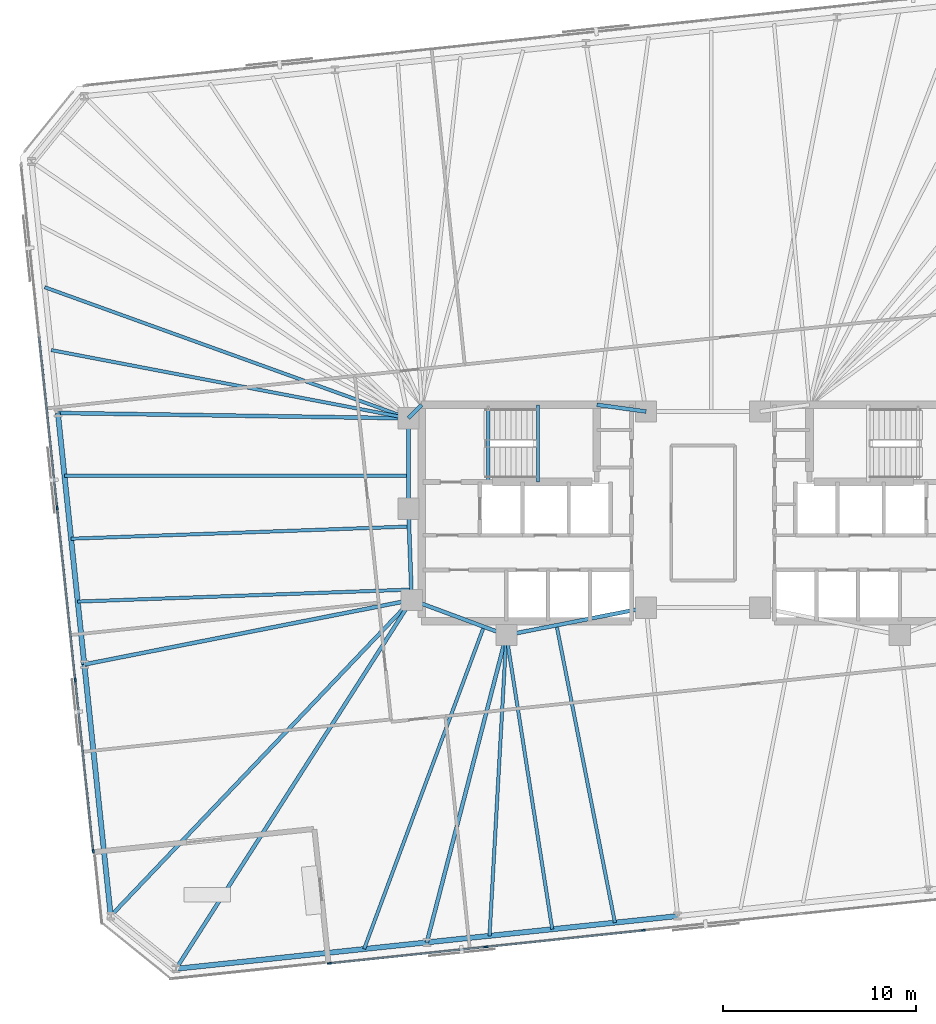
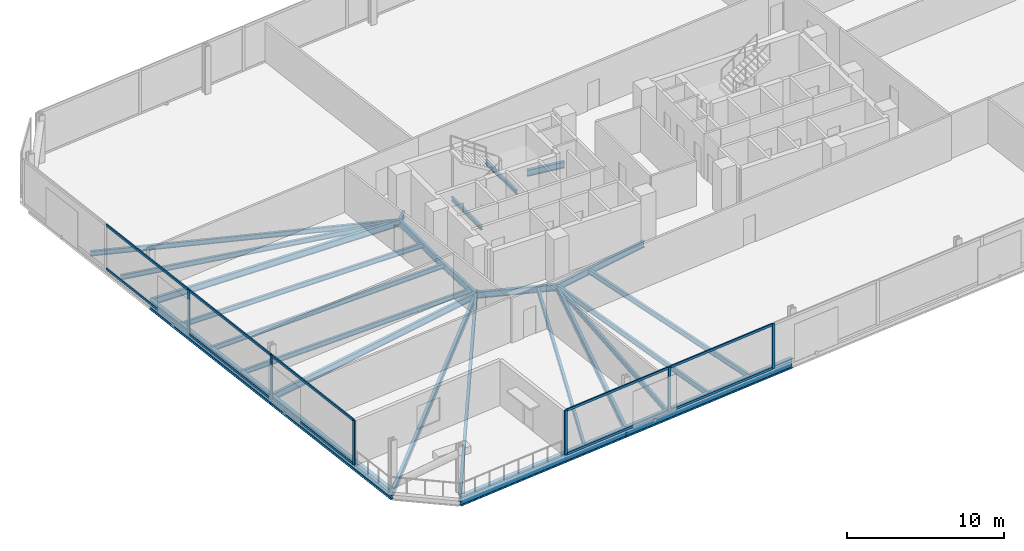
# One storey, part 6 of 18: 26 beams, 16 members, 2 elements without a shape of their own.
"""IFC4 building model written with IfcOpenShell, lengths in metres."""

from ifc_helpers import new_model, si_unit, direction, frame, origin, origin_2d, place, context, subcontext, project, spatial, rectangle, i_section, extrude, material, material_profile, profile_set, type_object, element, aggregate, save


model = new_model("IFC4")

# Units and contexts
model_context = context("Model", 3, precision=1e-05, world=origin(), true_north=direction((0.0, 1.0)))
body_context = subcontext(model_context, "Body", "Model", "MODEL_VIEW")
ifc_project = project(units=[si_unit("LENGTHUNIT", "METRE"), si_unit("AREAUNIT", "SQUARE_METRE"), si_unit("VOLUMEUNIT", "CUBIC_METRE"), si_unit("PLANEANGLEUNIT", "RADIAN"), si_unit("MASSUNIT", "GRAM", prefix="KILO")], contexts=[model_context])

# Site, building, storey
site_placement = place(None, origin())
site = spatial("IfcSite", under=ifc_project, at=site_placement, CompositionType="ELEMENT")
building_placement = place(site_placement, origin())
building = spatial("IfcBuilding", under=site, at=building_placement, Name="Menara Jurai Vektor", CompositionType="ELEMENT")
storey_placement = place(building_placement, frame((0.0, 0.0, 113.300048828125)))
storey = spatial("IfcBuildingStorey", under=building, at=storey_placement, Name="L28", CompositionType="ELEMENT", Elevation=113.300048828125)

# Curtain wall, members
ifc_material_1 = material(Name="Anodised Pale Aluminium & Low-E Double Glazing", Category="aluminium")
curtain_wall_type = type_object("IfcCurtainWallType", Name="CW-BLK2", PredefinedType="NOTDEFINED", material=ifc_material_1)
curtain_wall_1_placement = place(storey_placement, origin())
curtain_wall_1 = element("IfcCurtainWall", 1, at=curtain_wall_1_placement, inside=storey, type_object=curtain_wall_type, Name="Unitised Curtain Wall L28 F03", PredefinedType="NOTDEFINED")
ifc_material_2 = material(Name="Anodised Pale Aluminium Mullion", Category="aluminium")
ifc_material_profile_1 = material_profile(ifc_material_2, rectangle(XDim=0.090087890625, YDim=0.219970703125, at=origin_2d()), Name="ALU MUL 90x220")
ifc_profile_set_1 = profile_set([ifc_material_profile_1], Name="Anodised Pale Aluminium Mullion")
member_type_1 = type_object("IfcMemberType", Name="CW-BLK2-MUL", PredefinedType="MULLION", material=ifc_profile_set_1)
member_1_placement = place(storey_placement, frame((-19.33935546875, -23.304931640625, 0.0), z_axis=(0.0, 0.0, 1.0), x_axis=(-0.104528945794, 0.994521844653, 0.0)))
member_1 = element("IfcMember", 2, at=member_1_placement, type_object=member_type_1, Name="CW-02 mullion 1", PredefinedType="MULLION", context=body_context, shape_type="SweptSolid", body=[
    extrude(rectangle(XDim=0.090087890625, YDim=0.219970703125, at=origin_2d()), origin(), (0.0, 0.0, 1.0), 3.474853515625),
])
member_2_placement = place(storey_placement, frame((-11.240478515625, -22.453857421875, 0.0), z_axis=(0.0, 0.0, 1.0), x_axis=(-0.104528945794, 0.994521844653, 0.0)))
member_2 = element("IfcMember", 3, at=member_2_placement, type_object=member_type_1, Name="CW-02 mullion 2", PredefinedType="MULLION", context=body_context, shape_type="SweptSolid", body=[
    extrude(rectangle(XDim=0.090087890625, YDim=0.219970703125, at=origin_2d()), origin(), (0.0, 0.0, 1.0), 3.474853515625),
])
member_3_placement = place(storey_placement, frame((-3.0966796875, -21.597900390625, 0.0), z_axis=(0.0, 0.0, 1.0), x_axis=(-0.104528945794, 0.994521844653, 0.0)))
member_3 = element("IfcMember", 4, at=member_3_placement, type_object=member_type_1, Name="CW-02 mullion 3", PredefinedType="MULLION", context=body_context, shape_type="SweptSolid", body=[
    extrude(rectangle(XDim=0.090087890625, YDim=0.219970703125, at=origin_2d()), origin(), (0.0, 0.0, 1.0), 3.474853515625),
])

curtain_wall_2_placement = place(storey_placement, origin())
curtain_wall_2 = element("IfcCurtainWall", 5, at=curtain_wall_2_placement, inside=storey, type_object=curtain_wall_type, Name="Unitised Curtain Wall L28 F09", PredefinedType="NOTDEFINED")
member_4_placement = place(storey_placement, frame((-33.425048828125, 0.26171875, 0.0), z_axis=(0.0, 0.0, 1.0), x_axis=(0.994521640719, 0.10453088607, 0.0)))
member_4 = element("IfcMember", 6, at=member_4_placement, type_object=member_type_1, Name="CW-02 mullion 3", PredefinedType="MULLION", context=body_context, shape_type="SweptSolid", body=[
    extrude(rectangle(XDim=0.090087890625, YDim=0.219970703125, at=origin_2d()), origin(), (0.0, 0.0, 1.0), 3.474853515625),
])
member_5_placement = place(storey_placement, frame((-32.48876953125, -8.64404296875, 0.0), z_axis=(0.0, 0.0, 1.0), x_axis=(0.994521640719, 0.10453088607, 0.0)))
member_5 = element("IfcMember", 7, at=member_5_placement, type_object=member_type_1, Name="CW-02 mullion 4", PredefinedType="MULLION", context=body_context, shape_type="SweptSolid", body=[
    extrude(rectangle(XDim=0.090087890625, YDim=0.219970703125, at=origin_2d()), origin(), (0.0, 0.0, 1.0), 3.474853515625),
])
member_6_placement = place(storey_placement, frame((-31.5576171875, -17.50537109375, 0.0), z_axis=(0.0, 0.0, 1.0), x_axis=(0.994521640719, 0.10453088607, 0.0)))
member_6 = element("IfcMember", 8, at=member_6_placement, type_object=member_type_1, Name="CW-02 mullion 5", PredefinedType="MULLION", context=body_context, shape_type="SweptSolid", body=[
    extrude(rectangle(XDim=0.090087890625, YDim=0.219970703125, at=origin_2d()), origin(), (0.0, 0.0, 1.0), 3.474853515625),
])

# Member
ifc_material_3 = material(Name="Anodised Pale Aluminium Transom", Category="aluminium")
ifc_material_profile_2 = material_profile(ifc_material_3, rectangle(XDim=0.090087890625, YDim=0.18505859375, at=origin_2d()), Name="ALU TRN 90x185")
ifc_profile_set_2 = profile_set([ifc_material_profile_2], Name="Anodised Pale Aluminium Transom")
member_type_2 = type_object("IfcMemberType", Name="CW-BLK2-TRN", PredefinedType="USERDEFINED", material=ifc_profile_set_2)
member_7_placement = place(storey_placement, frame((-19.294677734375, -23.30029296875, 0.044921875), z_axis=(0.994522382703, 0.104523826487, 0.0), x_axis=(-0.104523826487, 0.994522382703, 0.0)))
member_7 = element("IfcMember", 9, at=member_7_placement, type_object=member_type_2, Name="CW-02 transom 1.1", ObjectType="TRANSOM", PredefinedType="USERDEFINED", context=body_context, shape_type="SweptSolid", body=[
    extrude(rectangle(XDim=0.090087890625, YDim=0.18505859375, at=origin_2d()), origin(), (0.0, 0.0, 1.0), 8.0537109375),
])

member_8_placement = place(storey_placement, frame((-19.294677734375, -23.30029296875, 3.429931640625), z_axis=(0.994522382703, 0.104523826487, 0.0), x_axis=(-0.104523826487, 0.994522382703, 0.0)))
member_8 = element("IfcMember", 10, at=member_8_placement, type_object=member_type_2, Name="CW-02 transom 1.2", ObjectType="TRANSOM", PredefinedType="USERDEFINED", context=body_context, shape_type="SweptSolid", body=[
    extrude(rectangle(XDim=0.090087890625, YDim=0.18505859375, at=origin_2d()), origin(), (0.0, 0.0, 1.0), 8.0537109375),
])

member_9_placement = place(storey_placement, frame((-11.195556640625, -22.448974609375, 0.044921875), z_axis=(0.994523113505, 0.104516872826, 0.0), x_axis=(-0.104516872826, 0.994523113505, 0.0)))
member_9 = element("IfcMember", 11, at=member_9_placement, type_object=member_type_2, Name="CW-02 transom 2.1", ObjectType="TRANSOM", PredefinedType="USERDEFINED", context=body_context, shape_type="SweptSolid", body=[
    extrude(rectangle(XDim=0.090087890625, YDim=0.18505859375, at=origin_2d()), origin(), (0.0, 0.0, 1.0), 8.0986328125),
])

member_10_placement = place(storey_placement, frame((-11.195556640625, -22.448974609375, 3.429931640625), z_axis=(0.994523113505, 0.104516872826, 0.0), x_axis=(-0.104516872826, 0.994523113505, 0.0)))
member_10 = element("IfcMember", 12, at=member_10_placement, type_object=member_type_2, Name="CW-02 transom 2.2", ObjectType="TRANSOM", PredefinedType="USERDEFINED", context=body_context, shape_type="SweptSolid", body=[
    extrude(rectangle(XDim=0.090087890625, YDim=0.18505859375, at=origin_2d()), origin(), (0.0, 0.0, 1.0), 8.0986328125),
])

aggregate(curtain_wall_1, [member_1, member_2, member_3, member_7, member_8, member_9, member_10])

member_11_placement = place(storey_placement, frame((-34.356201171875, 9.123046875, 0.044921875), z_axis=(0.104514186068, -0.994523395859, 0.0), x_axis=(0.994523395859, 0.104514186068, 0.0)))
member_11 = element("IfcMember", 13, at=member_11_placement, type_object=member_type_2, Name="CW-02 transom 2.1", ObjectType="TRANSOM", PredefinedType="USERDEFINED", context=body_context, shape_type="SweptSolid", body=[
    extrude(rectangle(XDim=0.090087890625, YDim=0.18505859375, at=origin_2d()), origin(), (0.0, 0.0, 1.0), 8.864990234375),
])

member_12_placement = place(storey_placement, frame((-34.356201171875, 9.123046875, 3.429931640625), z_axis=(0.104514186068, -0.994523395859, 0.0), x_axis=(0.994523395859, 0.104514186068, 0.0)))
member_12 = element("IfcMember", 14, at=member_12_placement, type_object=member_type_2, Name="CW-02 transom 2.2", ObjectType="TRANSOM", PredefinedType="USERDEFINED", context=body_context, shape_type="SweptSolid", body=[
    extrude(rectangle(XDim=0.090087890625, YDim=0.18505859375, at=origin_2d()), origin(), (0.0, 0.0, 1.0), 8.864990234375),
])

member_13_placement = place(storey_placement, frame((-33.420166015625, 0.217041015625, 0.044921875), z_axis=(0.104514186068, -0.994523395859, 0.0), x_axis=(0.994523395859, 0.104514186068, 0.0)))
member_13 = element("IfcMember", 15, at=member_13_placement, type_object=member_type_2, Name="CW-02 transom 3.1", ObjectType="TRANSOM", PredefinedType="USERDEFINED", context=body_context, shape_type="SweptSolid", body=[
    extrude(rectangle(XDim=0.090087890625, YDim=0.18505859375, at=origin_2d()), origin(), (0.0, 0.0, 1.0), 8.864990234375),
])

member_14_placement = place(storey_placement, frame((-33.420166015625, 0.217041015625, 3.429931640625), z_axis=(0.104514186068, -0.994523395859, 0.0), x_axis=(0.994523395859, 0.104514186068, 0.0)))
member_14 = element("IfcMember", 16, at=member_14_placement, type_object=member_type_2, Name="CW-02 transom 3.2", ObjectType="TRANSOM", PredefinedType="USERDEFINED", context=body_context, shape_type="SweptSolid", body=[
    extrude(rectangle(XDim=0.090087890625, YDim=0.18505859375, at=origin_2d()), origin(), (0.0, 0.0, 1.0), 8.864990234375),
])

member_15_placement = place(storey_placement, frame((-32.484130859375, -8.68896484375, 0.044921875), z_axis=(0.104520521822, -0.994522730016, 0.0), x_axis=(0.994522730016, 0.104520521822, 0.0)))
member_15 = element("IfcMember", 17, at=member_15_placement, type_object=member_type_2, Name="CW-02 transom 4.1", ObjectType="TRANSOM", PredefinedType="USERDEFINED", context=body_context, shape_type="SweptSolid", body=[
    extrude(rectangle(XDim=0.090087890625, YDim=0.18505859375, at=origin_2d()), origin(), (0.0, 0.0, 1.0), 8.820068359375),
])

member_16_placement = place(storey_placement, frame((-32.484130859375, -8.68896484375, 3.429931640625), z_axis=(0.104520521822, -0.994522730016, 0.0), x_axis=(0.994522730016, 0.104520521822, 0.0)))
member_16 = element("IfcMember", 18, at=member_16_placement, type_object=member_type_2, Name="CW-02 transom 4.2", ObjectType="TRANSOM", PredefinedType="USERDEFINED", context=body_context, shape_type="SweptSolid", body=[
    extrude(rectangle(XDim=0.090087890625, YDim=0.18505859375, at=origin_2d()), origin(), (0.0, 0.0, 1.0), 8.820068359375),
])

aggregate(curtain_wall_2, [member_4, member_5, member_6, member_11, member_12, member_13, member_14, member_15, member_16])

# Beams
ifc_material_4 = material(Name="Steel S355", Category="steel")
ifc_material_profile_3 = material_profile(ifc_material_4, i_section(OverallWidth=0.199951171875, OverallDepth=0.5, WebThickness=0.011962890625, FlangeThickness=0.02001953125, at=origin_2d()), Name="PG 500x200x96")
ifc_profile_set_3 = profile_set([ifc_material_profile_3], Name="Steel S355")
beam_type_1 = type_object("IfcBeamType", Name="STR-BM-500", PredefinedType="BEAM", material=ifc_profile_set_3)
beam_1_placement = place(storey_placement, frame((-15.25, 4.89990234375, -0.47509765625), z_axis=(0.701871936926, 0.712303154672, 0.0), x_axis=(-0.712303154672, 0.701871936926, 0.0)))
element("IfcBeam", 19, at=beam_1_placement, inside=storey, type_object=beam_type_1, Name="Core Ring Header Girder L28-CHW-N1", PredefinedType="BEAM", context=body_context, shape_type="SweptSolid", body=[
    extrude(i_section(OverallWidth=0.199951171875, OverallDepth=0.5, WebThickness=0.011962890625, FlangeThickness=0.02001953125, at=origin_2d()), origin(), (0.0, 0.0, 1.0), 0.98291015625),
])
beam_2_placement = place(storey_placement, frame((-5.5, 5.60009765625, -0.47509765625), z_axis=(0.990706818608, -0.136014703483, 0.0), x_axis=(0.136014703483, 0.990706818608, 0.0)))
element("IfcBeam", 20, at=beam_2_placement, inside=storey, type_object=beam_type_1, Name="Core Ring Header Girder L28-CHW-N2", PredefinedType="BEAM", context=body_context, shape_type="SweptSolid", body=[
    extrude(i_section(OverallWidth=0.199951171875, OverallDepth=0.5, WebThickness=0.011962890625, FlangeThickness=0.02001953125, at=origin_2d()), origin(), (0.0, 0.0, 1.0), 2.573974609375),
])
beam_3_placement = place(storey_placement, frame((-15.25, 0.219970703125, -0.47509765625), z_axis=(0.0, 1.0, 0.0), x_axis=(-1.0, 0.0, 0.0)))
element("IfcBeam", 21, at=beam_3_placement, inside=storey, type_object=beam_type_1, Name="Core Ring Header Girder L28-CHW-W1", PredefinedType="BEAM", context=body_context, shape_type="SweptSolid", body=[
    extrude(i_section(OverallWidth=0.199951171875, OverallDepth=0.5, WebThickness=0.011962890625, FlangeThickness=0.02001953125, at=origin_2d()), origin(), (0.0, 0.0, 1.0), 4.679931640625),
])
beam_4_placement = place(storey_placement, frame((-15.080078125, -4.5, -0.47509765625), z_axis=(-0.035977314146, 0.999352606874, 0.0), x_axis=(-0.999352606874, -0.035977314146, 0.0)))
element("IfcBeam", 22, at=beam_4_placement, inside=storey, type_object=beam_type_1, Name="Core Ring Header Girder L28-CHW-W2", PredefinedType="BEAM", context=body_context, shape_type="SweptSolid", body=[
    extrude(i_section(OverallWidth=0.199951171875, OverallDepth=0.5, WebThickness=0.011962890625, FlangeThickness=0.02001953125, at=origin_2d()), origin(), (0.0, 0.0, 1.0), 4.72314453125),
])
beam_5_placement = place(storey_placement, frame((-15.080078125, -4.5, -0.47509765625), z_axis=(0.937424400887, -0.348188874925, 0.0), x_axis=(0.348188874925, 0.937424400887, 0.0)))
element("IfcBeam", 23, at=beam_5_placement, inside=storey, type_object=beam_type_1, Name="Core Ring Header Girder L28-CHW-S1", PredefinedType="BEAM", context=body_context, shape_type="SweptSolid", body=[
    extrude(i_section(OverallWidth=0.199951171875, OverallDepth=0.5, WebThickness=0.011962890625, FlangeThickness=0.02001953125, at=origin_2d()), origin(), (0.0, 0.0, 1.0), 5.227294921875),
])
beam_6_placement = place(storey_placement, frame((-10.179931640625, -6.320068359375, -0.47509765625), z_axis=(0.981249044334, 0.192744164614, 0.0), x_axis=(-0.192744164614, 0.981249044334, 0.0)))
element("IfcBeam", 24, at=beam_6_placement, inside=storey, type_object=beam_type_1, Name="Core Ring Header Girder L28-CHW-S2", PredefinedType="BEAM", context=body_context, shape_type="SweptSolid", body=[
    extrude(i_section(OverallWidth=0.199951171875, OverallDepth=0.5, WebThickness=0.011962890625, FlangeThickness=0.02001953125, at=origin_2d()), origin(), (0.0, 0.0, 1.0), 7.3681640625),
])
beam_7_placement = place(storey_placement, frame((-27.2763671875, -23.586181640625, -0.47509765625), z_axis=(0.538462629542, 0.842649391258, 0.0), x_axis=(-0.842649391258, 0.538462629542, 0.0)))
element("IfcBeam", 25, at=beam_7_placement, inside=storey, type_object=beam_type_1, Name="Radial Floor Girder L28-S1", PredefinedType="BEAM", context=body_context, shape_type="SweptSolid", body=[
    extrude(i_section(OverallWidth=0.199951171875, OverallDepth=0.5, WebThickness=0.011962890625, FlangeThickness=0.02001953125, at=origin_2d()), origin(), (0.0, 0.0, 1.0), 22.650146484375),
])
beam_8_placement = place(storey_placement, frame((-14.296630859375, -22.221923828125, -0.47509765625), z_axis=(0.250619644892, 0.968085633399, 0.0), x_axis=(-0.968085633399, 0.250619644892, 0.0)))
element("IfcBeam", 26, at=beam_8_placement, inside=storey, type_object=beam_type_1, Name="Radial Floor Girder L28-S2", PredefinedType="BEAM", context=body_context, shape_type="SweptSolid", body=[
    extrude(i_section(OverallWidth=0.199951171875, OverallDepth=0.5, WebThickness=0.011962890625, FlangeThickness=0.02001953125, at=origin_2d()), origin(), (0.0, 0.0, 1.0), 16.426025390625),
])
beam_9_placement = place(storey_placement, frame((-33.38818359375, 5.175048828125, -0.47509765625), z_axis=(0.999884963566, -0.015167716827, 0.0), x_axis=(0.015167716827, 0.999884963566, 0.0)))
element("IfcBeam", 27, at=beam_9_placement, inside=storey, type_object=beam_type_1, Name="Radial Floor Girder L28-W2", PredefinedType="BEAM", context=body_context, shape_type="SweptSolid", body=[
    extrude(i_section(OverallWidth=0.199951171875, OverallDepth=0.5, WebThickness=0.011962890625, FlangeThickness=0.02001953125, at=origin_2d()), origin(), (0.0, 0.0, 1.0), 18.140380859375),
])
beam_10_placement = place(storey_placement, frame((-32.0205078125, -7.83837890625, -0.47509765625), z_axis=(0.98113039493, 0.193347221714, 0.0), x_axis=(-0.193347221714, 0.98113039493, 0.0)))
element("IfcBeam", 28, at=beam_10_placement, inside=storey, type_object=beam_type_1, Name="Radial Floor Girder L28-W3", PredefinedType="BEAM", context=body_context, shape_type="SweptSolid", body=[
    extrude(i_section(OverallWidth=0.199951171875, OverallDepth=0.5, WebThickness=0.011962890625, FlangeThickness=0.02001953125, at=origin_2d()), origin(), (0.0, 0.0, 1.0), 17.266357421875),
])
beam_11_placement = place(storey_placement, frame((-30.65283203125, -20.85205078125, -0.47509765625), z_axis=(0.689640593718, 0.724151815227, 0.0), x_axis=(-0.724151815227, 0.689640593718, 0.0)))
element("IfcBeam", 29, at=beam_11_placement, inside=storey, type_object=beam_type_1, Name="Radial Floor Girder L28-W4", PredefinedType="BEAM", context=body_context, shape_type="SweptSolid", body=[
    extrude(i_section(OverallWidth=0.199951171875, OverallDepth=0.5, WebThickness=0.011962890625, FlangeThickness=0.02001953125, at=origin_2d()), origin(), (0.0, 0.0, 1.0), 22.5810546875),
])
ifc_material_profile_4 = material_profile(ifc_material_4, i_section(OverallWidth=0.175048828125, OverallDepth=0.3798828125, WebThickness=0.010009765625, FlangeThickness=0.014892578125, at=origin_2d()), Name="PG 380x175x58")
ifc_profile_set_4 = profile_set([ifc_material_profile_4], Name="Steel S355")
beam_type_2 = type_object("IfcBeamType", Name="STR-JS-380", PredefinedType="JOIST", material=ifc_profile_set_4)
beam_12_placement = place(storey_placement, frame((-17.54150390625, -22.56298828125, -0.4150390625), z_axis=(0.348184462185, 0.937426039906, 0.0), x_axis=(-0.937426039906, 0.348184462185, 0.0)))
element("IfcBeam", 30, at=beam_12_placement, inside=storey, type_object=beam_type_2, Name="Radial Secondary Floor Joist L28-JS01", PredefinedType="JOIST", context=body_context, shape_type="SweptSolid", body=[
    extrude(i_section(OverallWidth=0.175048828125, OverallDepth=0.3798828125, WebThickness=0.010009765625, FlangeThickness=0.014892578125, at=origin_2d()), origin(), (0.0, 0.0, 1.0), 17.789794921875),
])
beam_13_placement = place(storey_placement, frame((-11.0517578125, -21.880859375, -0.4150390625), z_axis=(0.055939382302, 0.998434166837, 0.0), x_axis=(-0.998434166837, 0.055939382302, 0.0)))
element("IfcBeam", 31, at=beam_13_placement, inside=storey, type_object=beam_type_2, Name="Radial Secondary Floor Joist L28-JS02", PredefinedType="JOIST", context=body_context, shape_type="SweptSolid", body=[
    extrude(i_section(OverallWidth=0.175048828125, OverallDepth=0.3798828125, WebThickness=0.010009765625, FlangeThickness=0.014892578125, at=origin_2d()), origin(), (0.0, 0.0, 1.0), 15.585205078125),
])
beam_14_placement = place(storey_placement, frame((-7.806884765625, -21.539794921875, -0.4150390625), z_axis=(-0.154057765645, 0.988061842622, 0.0), x_axis=(-0.988061842622, -0.154057765645, 0.0)))
element("IfcBeam", 32, at=beam_14_placement, inside=storey, type_object=beam_type_2, Name="Radial Secondary Floor Joist L28-JS03", PredefinedType="JOIST", context=body_context, shape_type="SweptSolid", body=[
    extrude(i_section(OverallWidth=0.175048828125, OverallDepth=0.3798828125, WebThickness=0.010009765625, FlangeThickness=0.014892578125, at=origin_2d()), origin(), (0.0, 0.0, 1.0), 15.403564453125),
])
beam_15_placement = place(storey_placement, frame((-4.56201171875, -21.19873046875, -0.4150390625), z_axis=(-0.19271398667, 0.981254971627, 0.0), x_axis=(-0.981254971627, -0.19271398667, 0.0)))
element("IfcBeam", 33, at=beam_15_placement, inside=storey, type_object=beam_type_2, Name="Radial Secondary Floor Joist L28-JS04", PredefinedType="JOIST", context=body_context, shape_type="SweptSolid", body=[
    extrude(i_section(OverallWidth=0.175048828125, OverallDepth=0.3798828125, WebThickness=0.010009765625, FlangeThickness=0.014892578125, at=origin_2d()), origin(), (0.0, 0.0, 1.0), 15.682373046875),
])
beam_16_placement = place(storey_placement, frame((-34.072265625, 11.681884765625, -0.4150390625), z_axis=(0.940792327273, -0.338983475917, 0.0), x_axis=(0.338983475917, 0.940792327273, 0.0)))
element("IfcBeam", 34, at=beam_16_placement, inside=storey, type_object=beam_type_2, Name="Radial Secondary Floor Joist L28-JS36", PredefinedType="JOIST", context=body_context, shape_type="SweptSolid", body=[
    extrude(i_section(OverallWidth=0.175048828125, OverallDepth=0.3798828125, WebThickness=0.010009765625, FlangeThickness=0.014892578125, at=origin_2d()), origin(), (0.0, 0.0, 1.0), 20.0068359375),
])
beam_17_placement = place(storey_placement, frame((-33.730224609375, 8.428466796875, -0.4150390625), z_axis=(0.982255215221, -0.187549172674, 0.0), x_axis=(0.187549172674, 0.982255215221, 0.0)))
element("IfcBeam", 35, at=beam_17_placement, inside=storey, type_object=beam_type_2, Name="Radial Secondary Floor Joist L28-JS37", PredefinedType="JOIST", context=body_context, shape_type="SweptSolid", body=[
    extrude(i_section(OverallWidth=0.175048828125, OverallDepth=0.3798828125, WebThickness=0.010009765625, FlangeThickness=0.014892578125, at=origin_2d()), origin(), (0.0, 0.0, 1.0), 18.81396484375),
])
beam_18_placement = place(storey_placement, frame((-33.04638671875, 1.921630859375, -0.4150390625), z_axis=(1.0, 0.0, 0.0), x_axis=(0.0, 1.0, 0.0)))
element("IfcBeam", 36, at=beam_18_placement, inside=storey, type_object=beam_type_2, Name="Radial Secondary Floor Joist L28-JS38", PredefinedType="JOIST", context=body_context, shape_type="SweptSolid", body=[
    extrude(i_section(OverallWidth=0.175048828125, OverallDepth=0.3798828125, WebThickness=0.010009765625, FlangeThickness=0.014892578125, at=origin_2d()), origin(), (0.0, 0.0, 1.0), 17.79638671875),
])
beam_19_placement = place(storey_placement, frame((-32.704345703125, -1.331787109375, -0.4150390625), z_axis=(0.999351948809, 0.035995588769, 0.0), x_axis=(-0.035995588769, 0.999351948809, 0.0)))
element("IfcBeam", 37, at=beam_19_placement, inside=storey, type_object=beam_type_2, Name="Radial Secondary Floor Joist L28-JS39", PredefinedType="JOIST", context=body_context, shape_type="SweptSolid", body=[
    extrude(i_section(OverallWidth=0.175048828125, OverallDepth=0.3798828125, WebThickness=0.010009765625, FlangeThickness=0.014892578125, at=origin_2d()), origin(), (0.0, 0.0, 1.0), 17.498779296875),
])
beam_20_placement = place(storey_placement, frame((-32.362548828125, -4.5849609375, -0.4150390625), z_axis=(0.999352405578, 0.03598290517, 0.0), x_axis=(-0.03598290517, 0.999352405578, 0.0)))
element("IfcBeam", 38, at=beam_20_placement, inside=storey, type_object=beam_type_2, Name="Radial Secondary Floor Joist L28-JS40", PredefinedType="JOIST", context=body_context, shape_type="SweptSolid", body=[
    extrude(i_section(OverallWidth=0.175048828125, OverallDepth=0.3798828125, WebThickness=0.010009765625, FlangeThickness=0.014892578125, at=origin_2d()), origin(), (0.0, 0.0, 1.0), 17.2744140625),
])
ifc_material_profile_5 = material_profile(ifc_material_4, i_section(OverallWidth=0.1650390625, OverallDepth=0.302978515625, WebThickness=0.006103515625, FlangeThickness=0.010009765625, FilletRadius=0.009033203125, at=origin_2d()), Name="UKB 305x165x40")
ifc_profile_set_5 = profile_set([ifc_material_profile_5], Name="Steel S355")
beam_type_3 = type_object("IfcBeamType", Name="STR-LN-305", PredefinedType="LINTEL", material=ifc_profile_set_5)
beam_21_placement = place(storey_placement, frame((-11.1201171875, 1.60009765625, -0.37646484375), z_axis=(0.0, 1.0, 0.0), x_axis=(-1.0, 0.0, 0.0)))
element("IfcBeam", 39, at=beam_21_placement, inside=storey, type_object=beam_type_3, Name="Stair Well Floor Trimmer ST1 L28", PredefinedType="LINTEL", context=body_context, shape_type="SweptSolid", body=[
    extrude(i_section(OverallWidth=0.1650390625, OverallDepth=0.302978515625, WebThickness=0.006103515625, FlangeThickness=0.010009765625, FilletRadius=0.009033203125, at=origin_2d()), origin(), (0.0, 0.0, 1.0), 3.81982421875),
])
beam_22_placement = place(storey_placement, frame((-8.550048828125, 1.60009765625, 1.49853515625), z_axis=(0.0, 1.0, 0.0), x_axis=(-1.0, 0.0, 0.0)))
element("IfcBeam", 40, at=beam_22_placement, inside=storey, type_object=beam_type_3, Name="Stair Half-Landing Nosing Trimmer ST1-1 L28", PredefinedType="LINTEL", context=body_context, shape_type="SweptSolid", body=[
    extrude(i_section(OverallWidth=0.1650390625, OverallDepth=0.302978515625, WebThickness=0.006103515625, FlangeThickness=0.010009765625, FilletRadius=0.009033203125, at=origin_2d()), origin(), (0.0, 0.0, 1.0), 4.0),
])
ifc_material_5 = material(Name="Steel S460", Category="steel")
ifc_material_profile_6 = material_profile(ifc_material_5, i_section(OverallWidth=0.26806640625, OverallDepth=0.77001953125, WebThickness=0.01611328125, FlangeThickness=0.02490234375, FilletRadius=0.01708984375, at=origin_2d()), Name="UKB 762x267x197")
ifc_profile_set_6 = profile_set([ifc_material_profile_6], Name="Steel S460")
beam_type_4 = type_object("IfcBeamType", Name="STR-SP-762", PredefinedType="SPANDREL", material=ifc_profile_set_6)
for number, where, z_axis, x_axis, name in (
    (41, (-27.2763671875, -23.586181640625, -0.610107421875), (0.994521636083, 0.104530930169, 0.0), (-0.104530930169, 0.994521636083, 0.0), "Exoskeleton Spandrel Beam L28-01"),
    (42, (-14.296630859375, -22.221923828125, -0.610107421875), (0.994523580592, 0.104512428191, 0.0), (-0.104512428191, 0.994523580592, 0.0), "Exoskeleton Spandrel Beam L28-02"),
):
    element("IfcBeam", number, at=place(storey_placement, frame(where, z_axis=z_axis, x_axis=x_axis)), inside=storey, type_object=beam_type_4, Name=name, PredefinedType="SPANDREL", context=body_context, shape_type="SweptSolid", body=[
        extrude(i_section(OverallWidth=0.26806640625, OverallDepth=0.77001953125, WebThickness=0.01611328125, FlangeThickness=0.02490234375, FilletRadius=0.01708984375, at=origin_2d()), origin(), (0.0, 0.0, 1.0), 13.05126953125),
    ])
beam_23_placement = place(storey_placement, frame((-33.38818359375, 5.175048828125, -0.610107421875), z_axis=(0.104521615846, -0.994522615037, 0.0), x_axis=(0.994522615037, 0.104521615846, 0.0)))
element("IfcBeam", 43, at=beam_23_placement, inside=storey, type_object=beam_type_4, Name="Exoskeleton Spandrel Beam L28-18", PredefinedType="SPANDREL", context=body_context, shape_type="SweptSolid", body=[
    extrude(i_section(OverallWidth=0.26806640625, OverallDepth=0.77001953125, WebThickness=0.01611328125, FlangeThickness=0.02490234375, FilletRadius=0.01708984375, at=origin_2d()), origin(), (0.0, 0.0, 1.0), 13.085205078125),
])
beam_24_placement = place(storey_placement, frame((-32.0205078125, -7.83837890625, -0.610107421875), z_axis=(0.104519676409, -0.994522818865, 0.0), x_axis=(0.994522818865, 0.104519676409, 0.0)))
element("IfcBeam", 44, at=beam_24_placement, inside=storey, type_object=beam_type_4, Name="Exoskeleton Spandrel Beam L28-19", PredefinedType="SPANDREL", context=body_context, shape_type="SweptSolid", body=[
    extrude(i_section(OverallWidth=0.26806640625, OverallDepth=0.77001953125, WebThickness=0.01611328125, FlangeThickness=0.02490234375, FilletRadius=0.01708984375, at=origin_2d()), origin(), (0.0, 0.0, 1.0), 13.08544921875),
])

save(model, "model.ifc")
